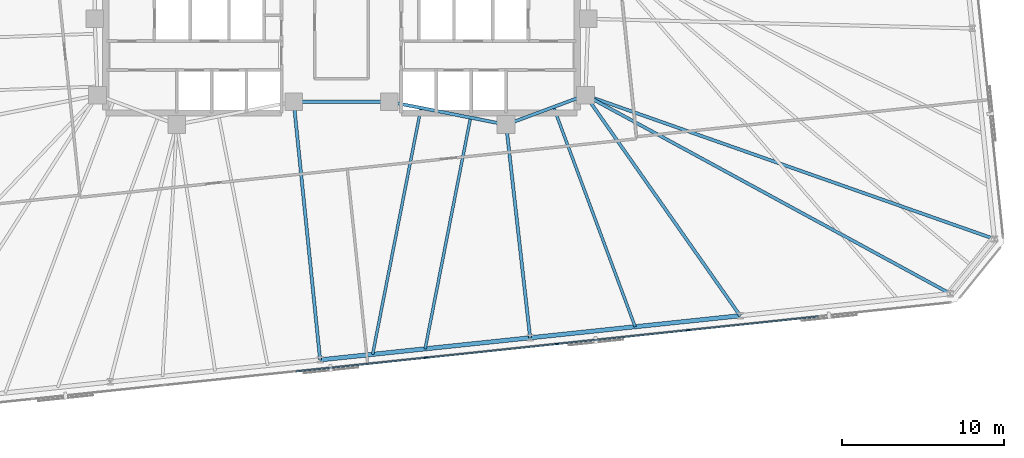
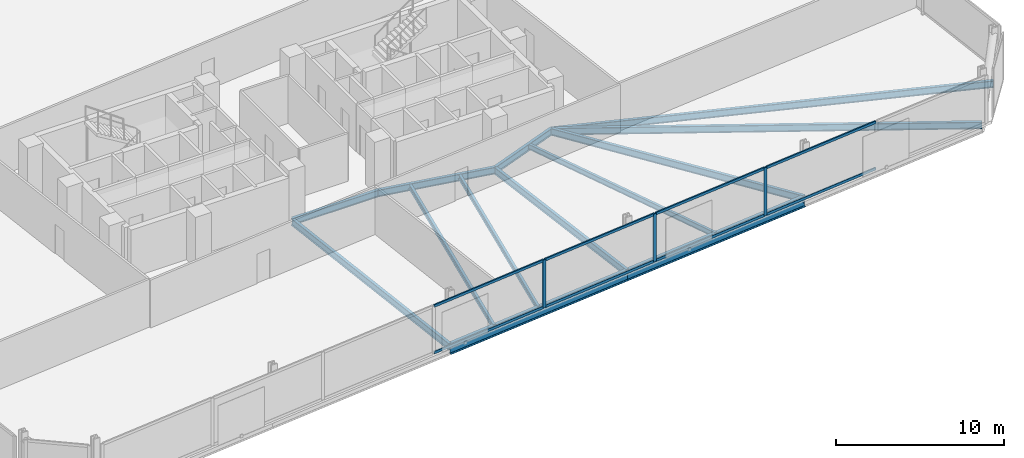
# One storey, part 7 of 17: 13 beams, 11 members, 1 element without a shape of its own.
"""IFC4 building model written with IfcOpenShell, lengths in metres."""

from ifc_helpers import new_model, si_unit, direction, frame, origin, origin_2d, place, context, subcontext, project, spatial, rectangle, i_section, extrude, material, material_profile, profile_set, type_object, element, aggregate, save


model = new_model("IFC4")

# Units and contexts
model_context = context("Model", 3, precision=1e-05, world=origin(), true_north=direction((0.0, 1.0)))
body_context = subcontext(model_context, "Body", "Model", "MODEL_VIEW")
ifc_project = project(units=[si_unit("LENGTHUNIT", "METRE"), si_unit("AREAUNIT", "SQUARE_METRE"), si_unit("VOLUMEUNIT", "CUBIC_METRE"), si_unit("PLANEANGLEUNIT", "RADIAN"), si_unit("MASSUNIT", "GRAM", prefix="KILO")], contexts=[model_context])

# Site, building, storey
site_placement = place(None, origin())
site = spatial("IfcSite", under=ifc_project, at=site_placement, CompositionType="ELEMENT")
building_placement = place(site_placement, origin())
building = spatial("IfcBuilding", under=site, at=building_placement, Name="Menara Jurai Vektor", CompositionType="ELEMENT")
storey_placement = place(building_placement, frame((0.0, 0.0, 87.39990234375)))
storey = spatial("IfcBuildingStorey", under=building, at=storey_placement, Name="L21", CompositionType="ELEMENT", Elevation=87.39990234375)

# Curtain wall, members
ifc_material_1 = material(Name="Anodised Pale Aluminium & Low-E Double Glazing", Category="aluminium")
curtain_wall_type = type_object("IfcCurtainWallType", Name="CW-BLK2", PredefinedType="NOTDEFINED", material=ifc_material_1)
curtain_wall_placement = place(storey_placement, origin())
curtain_wall = element("IfcCurtainWall", 1, at=curtain_wall_placement, inside=storey, type_object=curtain_wall_type, Name="Unitised Curtain Wall L21 F01", PredefinedType="NOTDEFINED")
ifc_material_2 = material(Name="Anodised Pale Aluminium Mullion", Category="aluminium")
ifc_material_profile_1 = material_profile(ifc_material_2, rectangle(XDim=0.090087890625, YDim=0.219970703125, at=origin_2d()), Name="ALU MUL 90x220")
ifc_profile_set_1 = profile_set([ifc_material_profile_1], Name="Anodised Pale Aluminium Mullion")
member_type_1 = type_object("IfcMemberType", Name="CW-BLK2-MUL", PredefinedType="MULLION", material=ifc_profile_set_1)
member_1_placement = place(storey_placement, frame((5.230224609375, -20.72265625, 0.0), z_axis=(0.0, 0.0, 1.0), x_axis=(-0.104528634935, 0.994521877325, 0.0)))
member_1 = element("IfcMember", 2, at=member_1_placement, type_object=member_type_1, Name="CW-02 mullion 5", PredefinedType="MULLION", context=body_context, shape_type="SweptSolid", body=[
    extrude(rectangle(XDim=0.090087890625, YDim=0.219970703125, at=origin_2d()), origin(), (0.0, 0.0, 1.0), 3.47509765625),
])
member_2_placement = place(storey_placement, frame((13.328125, -19.87158203125, 0.0), z_axis=(0.0, 0.0, 1.0), x_axis=(-0.104528634935, 0.994521877325, 0.0)))
member_2 = element("IfcMember", 3, at=member_2_placement, type_object=member_type_1, Name="CW-02 mullion 6", PredefinedType="MULLION", context=body_context, shape_type="SweptSolid", body=[
    extrude(rectangle(XDim=0.090087890625, YDim=0.219970703125, at=origin_2d()), origin(), (0.0, 0.0, 1.0), 3.47509765625),
])
member_3_placement = place(storey_placement, frame((21.426025390625, -19.020263671875, 0.0), z_axis=(0.0, 0.0, 1.0), x_axis=(-0.104528634935, 0.994521877325, 0.0)))
member_3 = element("IfcMember", 4, at=member_3_placement, type_object=member_type_1, Name="CW-02 mullion 7", PredefinedType="MULLION", context=body_context, shape_type="SweptSolid", body=[
    extrude(rectangle(XDim=0.090087890625, YDim=0.219970703125, at=origin_2d()), origin(), (0.0, 0.0, 1.0), 3.47509765625),
])
ifc_material_3 = material(Name="Anodised Pale Aluminium Transom", Category="aluminium")
ifc_material_profile_2 = material_profile(ifc_material_3, rectangle(XDim=0.090087890625, YDim=0.18505859375, at=origin_2d()), Name="ALU TRN 90x185")
ifc_profile_set_2 = profile_set([ifc_material_profile_2], Name="Anodised Pale Aluminium Transom")
member_type_2 = type_object("IfcMemberType", Name="CW-BLK2-TRN", PredefinedType="USERDEFINED", material=ifc_profile_set_2)
member_4_placement = place(storey_placement, frame((-2.82275390625, -21.569091796875, 0.045166015625), z_axis=(0.994520726373, 0.10453958492, 0.0), x_axis=(-0.10453958492, 0.994520726373, 0.0)))
member_4 = element("IfcMember", 5, at=member_4_placement, type_object=member_type_2, Name="CW-02 transom 4.1", ObjectType="TRANSOM", PredefinedType="USERDEFINED", context=body_context, shape_type="SweptSolid", body=[
    extrude(rectangle(XDim=0.090087890625, YDim=0.18505859375, at=origin_2d()), origin(), (0.0, 0.0, 1.0), 8.052490234375),
])
member_5_placement = place(storey_placement, frame((-2.82275390625, -21.569091796875, 3.43017578125), z_axis=(0.994520726373, 0.10453958492, 0.0), x_axis=(-0.10453958492, 0.994520726373, 0.0)))
member_5 = element("IfcMember", 6, at=member_5_placement, type_object=member_type_2, Name="CW-02 transom 4.2", ObjectType="TRANSOM", PredefinedType="USERDEFINED", context=body_context, shape_type="SweptSolid", body=[
    extrude(rectangle(XDim=0.090087890625, YDim=0.18505859375, at=origin_2d()), origin(), (0.0, 0.0, 1.0), 8.052490234375),
])
member_6_placement = place(storey_placement, frame((5.275146484375, -20.718017578125, 0.045166015625), z_axis=(0.994520726373, 0.10453958492, 0.0), x_axis=(-0.10453958492, 0.994520726373, 0.0)))
member_6 = element("IfcMember", 7, at=member_6_placement, type_object=member_type_2, Name="CW-02 transom 5.1", ObjectType="TRANSOM", PredefinedType="USERDEFINED", context=body_context, shape_type="SweptSolid", body=[
    extrude(rectangle(XDim=0.090087890625, YDim=0.18505859375, at=origin_2d()), origin(), (0.0, 0.0, 1.0), 8.052490234375),
])
member_7_placement = place(storey_placement, frame((5.275146484375, -20.718017578125, 3.43017578125), z_axis=(0.994520726373, 0.10453958492, 0.0), x_axis=(-0.10453958492, 0.994520726373, 0.0)))
member_7 = element("IfcMember", 8, at=member_7_placement, type_object=member_type_2, Name="CW-02 transom 5.2", ObjectType="TRANSOM", PredefinedType="USERDEFINED", context=body_context, shape_type="SweptSolid", body=[
    extrude(rectangle(XDim=0.090087890625, YDim=0.18505859375, at=origin_2d()), origin(), (0.0, 0.0, 1.0), 8.052490234375),
])
member_8_placement = place(storey_placement, frame((13.373046875, -19.86669921875, 0.045166015625), z_axis=(0.99452387809, 0.104509597213, 0.0), x_axis=(-0.104509597213, 0.99452387809, 0.0)))
member_8 = element("IfcMember", 9, at=member_8_placement, type_object=member_type_2, Name="CW-02 transom 6.1", ObjectType="TRANSOM", PredefinedType="USERDEFINED", context=body_context, shape_type="SweptSolid", body=[
    extrude(rectangle(XDim=0.090087890625, YDim=0.18505859375, at=origin_2d()), origin(), (0.0, 0.0, 1.0), 8.052490234375),
])
member_9_placement = place(storey_placement, frame((13.373046875, -19.86669921875, 3.43017578125), z_axis=(0.99452387809, 0.104509597213, 0.0), x_axis=(-0.104509597213, 0.99452387809, 0.0)))
member_9 = element("IfcMember", 10, at=member_9_placement, type_object=member_type_2, Name="CW-02 transom 6.2", ObjectType="TRANSOM", PredefinedType="USERDEFINED", context=body_context, shape_type="SweptSolid", body=[
    extrude(rectangle(XDim=0.090087890625, YDim=0.18505859375, at=origin_2d()), origin(), (0.0, 0.0, 1.0), 8.052490234375),
])
member_10_placement = place(storey_placement, frame((21.470947265625, -19.015625, 0.045166015625), z_axis=(0.994520726373, 0.10453958492, 0.0), x_axis=(-0.10453958492, 0.994520726373, 0.0)))
member_10 = element("IfcMember", 11, at=member_10_placement, type_object=member_type_2, Name="CW-02 transom 7.1", ObjectType="TRANSOM", PredefinedType="USERDEFINED", context=body_context, shape_type="SweptSolid", body=[
    extrude(rectangle(XDim=0.090087890625, YDim=0.18505859375, at=origin_2d()), origin(), (0.0, 0.0, 1.0), 8.052490234375),
])
member_11_placement = place(storey_placement, frame((21.470947265625, -19.015625, 3.43017578125), z_axis=(0.994520726373, 0.10453958492, 0.0), x_axis=(-0.10453958492, 0.994520726373, 0.0)))
member_11 = element("IfcMember", 12, at=member_11_placement, type_object=member_type_2, Name="CW-02 transom 7.2", ObjectType="TRANSOM", PredefinedType="USERDEFINED", context=body_context, shape_type="SweptSolid", body=[
    extrude(rectangle(XDim=0.090087890625, YDim=0.18505859375, at=origin_2d()), origin(), (0.0, 0.0, 1.0), 8.052490234375),
])
aggregate(curtain_wall, [member_1, member_2, member_3, member_4, member_5, member_6, member_7, member_8, member_9, member_10, member_11])

# Beams
ifc_material_4 = material(Name="Steel S355", Category="steel")
ifc_material_profile_3 = material_profile(ifc_material_4, i_section(OverallWidth=0.199951171875, OverallDepth=0.5, WebThickness=0.011962890625, FlangeThickness=0.02001953125, at=origin_2d()), Name="PG 500x200x96")
ifc_profile_set_3 = profile_set([ifc_material_profile_3], Name="Steel S355")
beam_type_1 = type_object("IfcBeamType", Name="STR-BM-500", PredefinedType="BEAM", material=ifc_profile_set_3)
beam_1_placement = place(storey_placement, frame((10.179931640625, -6.320068359375, -0.474853515625), z_axis=(0.937424400887, 0.348188874925, 0.0), x_axis=(-0.348188874925, 0.937424400887, 0.0)))
element("IfcBeam", 13, at=beam_1_placement, inside=storey, type_object=beam_type_1, Name="Core Ring Header Girder L21-CHE-S1", PredefinedType="BEAM", context=body_context, shape_type="SweptSolid", body=[
    extrude(i_section(OverallWidth=0.199951171875, OverallDepth=0.5, WebThickness=0.011962890625, FlangeThickness=0.02001953125, at=origin_2d()), origin(), (0.0, 0.0, 1.0), 5.227294921875),
])
beam_2_placement = place(storey_placement, frame((2.949951171875, -4.89990234375, -0.474853515625), z_axis=(0.981249044334, -0.192744164614, 0.0), x_axis=(0.192744164614, 0.981249044334, 0.0)))
element("IfcBeam", 14, at=beam_2_placement, inside=storey, type_object=beam_type_1, Name="Core Ring Header Girder L21-CHE-S2", PredefinedType="BEAM", context=body_context, shape_type="SweptSolid", body=[
    extrude(i_section(OverallWidth=0.199951171875, OverallDepth=0.5, WebThickness=0.011962890625, FlangeThickness=0.02001953125, at=origin_2d()), origin(), (0.0, 0.0, 1.0), 7.3681640625),
])
beam_3_placement = place(storey_placement, frame((-2.949951171875, -4.89990234375, -0.474853515625), z_axis=(1.0, 0.0, 0.0), x_axis=(0.0, 1.0, 0.0)))
element("IfcBeam", 15, at=beam_3_placement, inside=storey, type_object=beam_type_1, Name="Core Ring Header Girder L21-CC-1", PredefinedType="BEAM", context=body_context, shape_type="SweptSolid", body=[
    extrude(i_section(OverallWidth=0.199951171875, OverallDepth=0.5, WebThickness=0.011962890625, FlangeThickness=0.02001953125, at=origin_2d()), origin(), (0.0, 0.0, 1.0), 5.89990234375),
])
beam_4_placement = place(storey_placement, frame((-1.31689453125, -20.85791015625, -0.474853515625), z_axis=(-0.101802947506, 0.994804583765, 0.0), x_axis=(-0.994804583765, -0.101802947506, 0.0)))
element("IfcBeam", 16, at=beam_4_placement, inside=storey, type_object=beam_type_1, Name="Radial Floor Girder L21-S3", PredefinedType="BEAM", context=body_context, shape_type="SweptSolid", body=[
    extrude(i_section(OverallWidth=0.199951171875, OverallDepth=0.5, WebThickness=0.011962890625, FlangeThickness=0.02001953125, at=origin_2d()), origin(), (0.0, 0.0, 1.0), 16.041259765625),
])
beam_5_placement = place(storey_placement, frame((11.66259765625, -19.493408203125, -0.474853515625), z_axis=(-0.111844331087, 0.99372573963, 0.0), x_axis=(-0.99372573963, -0.111844331087, 0.0)))
element("IfcBeam", 17, at=beam_5_placement, inside=storey, type_object=beam_type_1, Name="Radial Floor Girder L21-S4", PredefinedType="BEAM", context=body_context, shape_type="SweptSolid", body=[
    extrude(i_section(OverallWidth=0.199951171875, OverallDepth=0.5, WebThickness=0.011962890625, FlangeThickness=0.02001953125, at=origin_2d()), origin(), (0.0, 0.0, 1.0), 13.256591796875),
])
beam_6_placement = place(storey_placement, frame((24.64208984375, -18.12939453125, -0.474853515625), z_axis=(-0.574326112611, 0.818626603754, 0.0), x_axis=(-0.818626603754, -0.574326112611, 0.0)))
element("IfcBeam", 18, at=beam_6_placement, inside=storey, type_object=beam_type_1, Name="Radial Floor Girder L21-S5", PredefinedType="BEAM", context=body_context, shape_type="SweptSolid", body=[
    extrude(i_section(OverallWidth=0.199951171875, OverallDepth=0.5, WebThickness=0.011962890625, FlangeThickness=0.02001953125, at=origin_2d()), origin(), (0.0, 0.0, 1.0), 16.649169921875),
])
beam_7_placement = place(storey_placement, frame((37.621826171875, -16.76513671875, -0.474853515625), z_axis=(-0.878392468416, 0.477940029115, 0.0), x_axis=(-0.477940029115, -0.878392468416, 0.0)))
element("IfcBeam", 19, at=beam_7_placement, inside=storey, type_object=beam_type_1, Name="Radial Floor Girder L21-S6", PredefinedType="BEAM", context=body_context, shape_type="SweptSolid", body=[
    extrude(i_section(OverallWidth=0.199951171875, OverallDepth=0.5, WebThickness=0.011962890625, FlangeThickness=0.02001953125, at=origin_2d()), origin(), (0.0, 0.0, 1.0), 25.66259765625),
])
beam_8_placement = place(storey_placement, frame((40.356201171875, -13.388671875, -0.474853515625), z_axis=(-0.943368219745, 0.331747497315, 0.0), x_axis=(-0.331747497315, -0.943368219745, 0.0)))
element("IfcBeam", 20, at=beam_8_placement, inside=storey, type_object=beam_type_1, Name="Radial Floor Girder L21-E1", PredefinedType="BEAM", context=body_context, shape_type="SweptSolid", body=[
    extrude(i_section(OverallWidth=0.199951171875, OverallDepth=0.5, WebThickness=0.011962890625, FlangeThickness=0.02001953125, at=origin_2d()), origin(), (0.0, 0.0, 1.0), 26.79345703125),
])
ifc_material_profile_4 = material_profile(ifc_material_4, i_section(OverallWidth=0.175048828125, OverallDepth=0.3798828125, WebThickness=0.010009765625, FlangeThickness=0.014892578125, at=origin_2d()), Name="PG 380x175x58")
ifc_profile_set_4 = profile_set([ifc_material_profile_4], Name="Steel S355")
beam_type_2 = type_object("IfcBeamType", Name="STR-JS-380", PredefinedType="JOIST", material=ifc_profile_set_4)
beam_9_placement = place(storey_placement, frame((1.927978515625, -20.5166015625, -0.414794921875), z_axis=(0.192720963177, 0.981253601447, 0.0), x_axis=(-0.981253601447, 0.192720963177, 0.0)))
element("IfcBeam", 21, at=beam_9_placement, inside=storey, type_object=beam_type_2, Name="Radial Secondary Floor Joist L21-JS06", PredefinedType="JOIST", context=body_context, shape_type="SweptSolid", body=[
    extrude(i_section(OverallWidth=0.175048828125, OverallDepth=0.3798828125, WebThickness=0.010009765625, FlangeThickness=0.014892578125, at=origin_2d()), origin(), (0.0, 0.0, 1.0), 15.52099609375),
])
beam_10_placement = place(storey_placement, frame((5.1728515625, -20.175537109375, -0.414794921875), z_axis=(0.192719646422, 0.98125386006, 0.0), x_axis=(-0.98125386006, 0.192719646422, 0.0)))
element("IfcBeam", 22, at=beam_10_placement, inside=storey, type_object=beam_type_2, Name="Radial Secondary Floor Joist L21-JS07", PredefinedType="JOIST", context=body_context, shape_type="SweptSolid", body=[
    extrude(i_section(OverallWidth=0.175048828125, OverallDepth=0.3798828125, WebThickness=0.010009765625, FlangeThickness=0.014892578125, at=origin_2d()), origin(), (0.0, 0.0, 1.0), 14.560791015625),
])
beam_11_placement = place(storey_placement, frame((18.15234375, -18.811279296875, -0.414794921875), z_axis=(-0.348188645432, 0.937424486128, 0.0), x_axis=(-0.937424486128, -0.348188645432, 0.0)))
element("IfcBeam", 23, at=beam_11_placement, inside=storey, type_object=beam_type_2, Name="Radial Secondary Floor Joist L21-JS08", PredefinedType="JOIST", context=body_context, shape_type="SweptSolid", body=[
    extrude(i_section(OverallWidth=0.175048828125, OverallDepth=0.3798828125, WebThickness=0.010009765625, FlangeThickness=0.014892578125, at=origin_2d()), origin(), (0.0, 0.0, 1.0), 14.485595703125),
])
ifc_material_5 = material(Name="Steel S460", Category="steel")
ifc_material_profile_5 = material_profile(ifc_material_5, i_section(OverallWidth=0.26806640625, OverallDepth=0.77001953125, WebThickness=0.01611328125, FlangeThickness=0.02490234375, FilletRadius=0.01708984375, at=origin_2d()), Name="UKB 762x267x197")
ifc_profile_set_5 = profile_set([ifc_material_profile_5], Name="Steel S460")
beam_type_3 = type_object("IfcBeamType", Name="STR-SP-762", PredefinedType="SPANDREL", material=ifc_profile_set_5)
for number, where, z_axis, x_axis, name in (
    (24, (-1.31689453125, -20.85791015625, -0.60986328125), (0.994519486762, 0.104551377088, 0.0), (-0.104551377088, 0.994519486762, 0.0), "Exoskeleton Spandrel Beam L21-03"),
    (25, (11.66259765625, -19.493408203125, -0.60986328125), (0.99452337626, 0.104514372567, 0.0), (-0.104514372567, 0.99452337626, 0.0), "Exoskeleton Spandrel Beam L21-04"),
):
    element("IfcBeam", number, at=place(storey_placement, frame(where, z_axis=z_axis, x_axis=x_axis)), inside=storey, type_object=beam_type_3, Name=name, PredefinedType="SPANDREL", context=body_context, shape_type="SweptSolid", body=[
        extrude(i_section(OverallWidth=0.26806640625, OverallDepth=0.77001953125, WebThickness=0.01611328125, FlangeThickness=0.02490234375, FilletRadius=0.01708984375, at=origin_2d()), origin(), (0.0, 0.0, 1.0), 13.051025390625),
    ])

save(model, "model.ifc")
